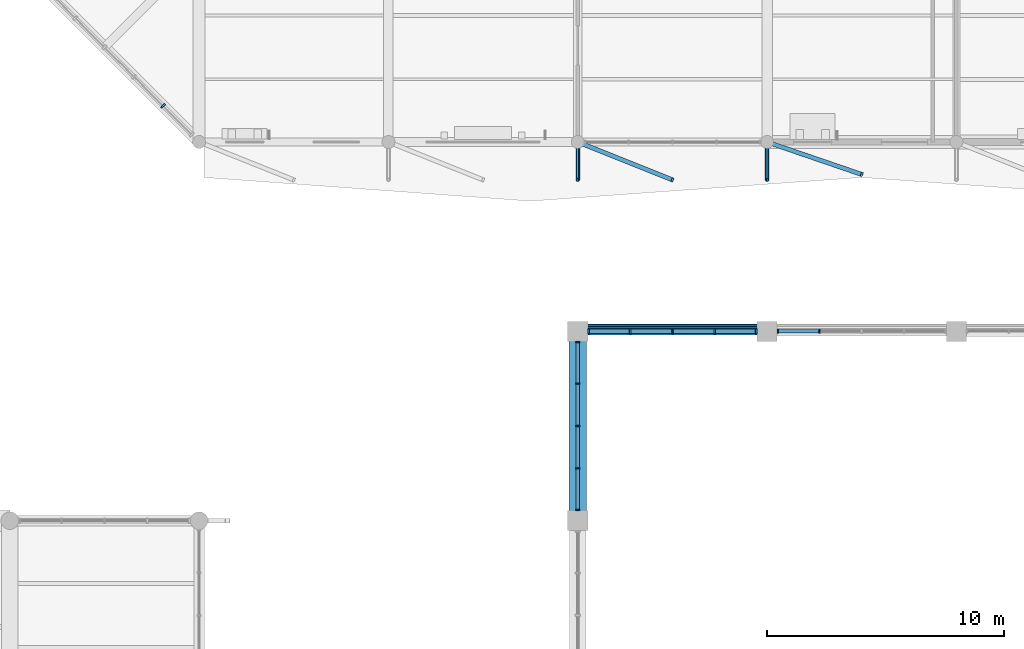
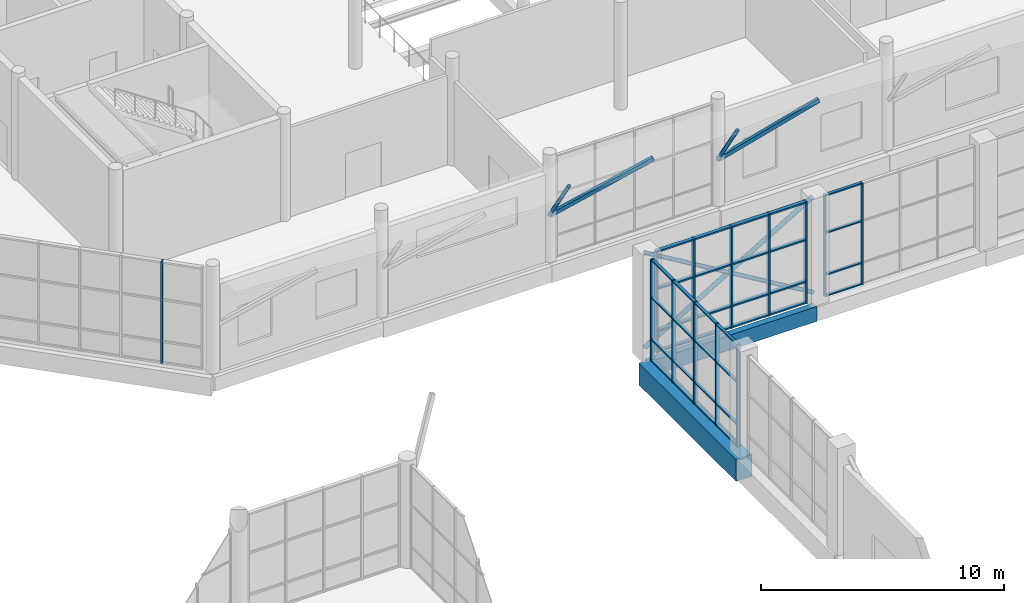
# One storey, part 43 of 122: 55 members, 2 beams, 4 elements without a shape of their own.
"""IFC4 building model written with IfcOpenShell, lengths in metres."""

from ifc_helpers import new_model, si_unit, direction, frame, origin, origin_2d, place, context, subcontext, project, spatial, rectangle, hollow_rectangle, hollow_circle, extrude, material, material_profile, profile_set, type_object, element, aggregate, save


model = new_model("IFC4")

# Units and contexts
model_context = context("Model", 3, precision=1e-05, world=origin(), true_north=direction((0.0, 1.0)))
body_context = subcontext(model_context, "Body", "Model", "MODEL_VIEW")
ifc_project = project(units=[si_unit("LENGTHUNIT", "METRE"), si_unit("AREAUNIT", "SQUARE_METRE"), si_unit("VOLUMEUNIT", "CUBIC_METRE"), si_unit("PLANEANGLEUNIT", "RADIAN"), si_unit("MASSUNIT", "GRAM", prefix="KILO")], contexts=[model_context])

# Site, building, storey
site_placement = place(None, origin())
site = spatial("IfcSite", under=ifc_project, at=site_placement, CompositionType="ELEMENT")
building_placement = place(site_placement, origin())
building = spatial("IfcBuilding", under=site, at=building_placement, Name="Tenunan Teduh Sports Hall", CompositionType="ELEMENT")
storey_placement = place(building_placement, frame((0.0, 0.0, 5.39990234375)))
storey = spatial("IfcBuildingStorey", under=building, at=storey_placement, Name="L01", CompositionType="ELEMENT", Elevation=5.39990234375)

# Beams
ifc_material_1 = material(Name="Concrete C40/50", Category="concrete")
ifc_material_profile_1 = material_profile(ifc_material_1, rectangle(XDim=0.75, YDim=1.10009765625, at=origin_2d()), Name="RCB 750x1100")
ifc_profile_set_1 = profile_set([ifc_material_profile_1], Name="Concrete C40/50")
beam_type_1 = type_object("IfcBeamType", Name="BM-RC-750x1100", PredefinedType="SPANDREL", material=ifc_profile_set_1)
beam_1_placement = place(storey_placement, frame((122.0, 70.0, -0.809814453125), z_axis=(0.0, 1.0, 0.0), x_axis=(-1.0, 0.0, 0.0)))
element("IfcBeam", 1, at=beam_1_placement, inside=storey, type_object=beam_type_1, Name="BM-B-20-L01-1272", PredefinedType="SPANDREL", context=body_context, shape_type="SweptSolid", body=[
    extrude(rectangle(XDim=0.75, YDim=1.10009765625, at=origin_2d()), origin(), (0.0, 0.0, 1.0), 8.0),
])
ifc_material_2 = material(Name="Concrete C40/50", Category="concrete")
ifc_material_profile_2 = material_profile(ifc_material_2, rectangle(XDim=0.300048828125, YDim=0.75, at=origin_2d()), Name="SPB 300x750")
ifc_profile_set_2 = profile_set([ifc_material_profile_2], Name="Concrete C40/50")
beam_type_2 = type_object("IfcBeamType", Name="BM-SP-300x750", PredefinedType="SPANDREL", material=ifc_profile_set_2)
beam_2_placement = place(storey_placement, frame((122.0, 78.0, -0.635009765625), z_axis=(1.0, 0.0, 0.0), x_axis=(0.0, 1.0, 0.0)))
element("IfcBeam", 2, at=beam_2_placement, inside=storey, type_object=beam_type_2, Name="BM-SP-01-L01-1101", PredefinedType="SPANDREL", context=body_context, shape_type="SweptSolid", body=[
    extrude(rectangle(XDim=0.300048828125, YDim=0.75, at=origin_2d()), origin(), (0.0, 0.0, 1.0), 8.0),
])

# Curtain wall, members
ifc_material_3 = material(Name="Anodised aluminium", Category="aluminium")
curtain_wall_type = type_object("IfcCurtainWallType", Name="CW-UNIT-1", PredefinedType="NOTDEFINED", material=ifc_material_3)
curtain_wall_1_placement = place(storey_placement, origin())
curtain_wall_1 = element("IfcCurtainWall", 3, at=curtain_wall_1_placement, inside=storey, type_object=curtain_wall_type, Name="CW-CWM-175-L01-118", PredefinedType="NOTDEFINED")
ifc_material_4 = material(Name="Anodised aluminium", Category="aluminium")
ifc_material_profile_3 = material_profile(ifc_material_4, rectangle(XDim=0.06494140625, YDim=0.175048828125, at=origin_2d()), Name="CWM 65x175")
ifc_profile_set_3 = profile_set([ifc_material_profile_3], Name="Anodised aluminium")
member_type_1 = type_object("IfcMemberType", Name="CWM-175", PredefinedType="MULLION", material=ifc_profile_set_3)
member_1_placement = place(storey_placement, frame((130.45751953125, 78.0, 0.0), z_axis=(0.0, 0.0, 1.0), x_axis=(1.0, 0.0, 0.0)))
member_1 = element("IfcMember", 4, at=member_1_placement, type_object=member_type_1, Name="CW-01 mullion 1", PredefinedType="MULLION", context=body_context, shape_type="SweptSolid", body=[
    extrude(rectangle(XDim=0.06494140625, YDim=0.175048828125, at=origin_2d()), origin(), (0.0, 0.0, 1.0), 5.1201171875),
])
member_2_placement = place(storey_placement, frame((132.21240234375, 78.0, 0.0), z_axis=(0.0, 0.0, 1.0), x_axis=(1.0, 0.0, 0.0)))
member_2 = element("IfcMember", 5, at=member_2_placement, type_object=member_type_1, Name="CW-01 mullion 2", PredefinedType="MULLION", context=body_context, shape_type="SweptSolid", body=[
    extrude(rectangle(XDim=0.06494140625, YDim=0.175048828125, at=origin_2d()), origin(), (0.0, 0.0, 1.0), 5.1201171875),
])

curtain_wall_2_placement = place(storey_placement, origin())
curtain_wall_2 = element("IfcCurtainWall", 6, at=curtain_wall_2_placement, inside=storey, type_object=curtain_wall_type, Name="CW-CWM-175-L01-126", PredefinedType="NOTDEFINED")
member_3_placement = place(storey_placement, frame((122.0, 70.45751953125, 0.0), z_axis=(0.0, 0.0, 1.0), x_axis=(0.0, 1.0, 0.0)))
member_3 = element("IfcMember", 7, at=member_3_placement, type_object=member_type_1, Name="CW-01 mullion 1", PredefinedType="MULLION", context=body_context, shape_type="SweptSolid", body=[
    extrude(rectangle(XDim=0.06494140625, YDim=0.175048828125, at=origin_2d()), origin(), (0.0, 0.0, 1.0), 5.1201171875),
])
member_4_placement = place(storey_placement, frame((122.0, 72.21240234375, 0.0), z_axis=(0.0, 0.0, 1.0), x_axis=(0.0, 1.0, 0.0)))
member_4 = element("IfcMember", 8, at=member_4_placement, type_object=member_type_1, Name="CW-01 mullion 2", PredefinedType="MULLION", context=body_context, shape_type="SweptSolid", body=[
    extrude(rectangle(XDim=0.06494140625, YDim=0.175048828125, at=origin_2d()), origin(), (0.0, 0.0, 1.0), 5.1201171875),
])
member_5_placement = place(storey_placement, frame((122.0, 74.0, 0.0), z_axis=(0.0, 0.0, 1.0), x_axis=(0.0, 1.0, 0.0)))
member_5 = element("IfcMember", 9, at=member_5_placement, type_object=member_type_1, Name="CW-01 mullion 3", PredefinedType="MULLION", context=body_context, shape_type="SweptSolid", body=[
    extrude(rectangle(XDim=0.06494140625, YDim=0.175048828125, at=origin_2d()), origin(), (0.0, 0.0, 1.0), 5.1201171875),
])
member_6_placement = place(storey_placement, frame((122.0, 75.78759765625, 0.0), z_axis=(0.0, 0.0, 1.0), x_axis=(0.0, 1.0, 0.0)))
member_6 = element("IfcMember", 10, at=member_6_placement, type_object=member_type_1, Name="CW-01 mullion 4", PredefinedType="MULLION", context=body_context, shape_type="SweptSolid", body=[
    extrude(rectangle(XDim=0.06494140625, YDim=0.175048828125, at=origin_2d()), origin(), (0.0, 0.0, 1.0), 5.1201171875),
])
member_7_placement = place(storey_placement, frame((122.0, 77.54248046875, 0.0), z_axis=(0.0, 0.0, 1.0), x_axis=(0.0, 1.0, 0.0)))
member_7 = element("IfcMember", 11, at=member_7_placement, type_object=member_type_1, Name="CW-01 mullion 5", PredefinedType="MULLION", context=body_context, shape_type="SweptSolid", body=[
    extrude(rectangle(XDim=0.06494140625, YDim=0.175048828125, at=origin_2d()), origin(), (0.0, 0.0, 1.0), 5.1201171875),
])

curtain_wall_3_placement = place(storey_placement, origin())
curtain_wall_3 = element("IfcCurtainWall", 12, at=curtain_wall_3_placement, inside=storey, type_object=curtain_wall_type, Name="CW-CWM-220-L01-117", PredefinedType="NOTDEFINED")
ifc_material_5 = material(Name="Anodised aluminium", Category="aluminium")
ifc_material_profile_4 = material_profile(ifc_material_5, rectangle(XDim=0.074951171875, YDim=0.219970703125, at=origin_2d()), Name="CWM 75x220")
ifc_profile_set_4 = profile_set([ifc_material_profile_4], Name="Anodised aluminium")
member_type_2 = type_object("IfcMemberType", Name="CWM-220", PredefinedType="MULLION", material=ifc_profile_set_4)
member_8_placement = place(storey_placement, frame((122.46240234375, 78.0, 0.0), z_axis=(0.0, 0.0, 1.0), x_axis=(1.0, 0.0, 0.0)))
member_8 = element("IfcMember", 13, at=member_8_placement, type_object=member_type_2, Name="CW-01 mullion 1", PredefinedType="MULLION", context=body_context, shape_type="SweptSolid", body=[
    extrude(rectangle(XDim=0.074951171875, YDim=0.219970703125, at=origin_2d()), origin(), (0.0, 0.0, 1.0), 5.1201171875),
])
member_9_placement = place(storey_placement, frame((124.21240234375, 78.0, 0.0), z_axis=(0.0, 0.0, 1.0), x_axis=(1.0, 0.0, 0.0)))
member_9 = element("IfcMember", 14, at=member_9_placement, type_object=member_type_2, Name="CW-01 mullion 2", PredefinedType="MULLION", context=body_context, shape_type="SweptSolid", body=[
    extrude(rectangle(XDim=0.074951171875, YDim=0.219970703125, at=origin_2d()), origin(), (0.0, 0.0, 1.0), 5.1201171875),
])
member_10_placement = place(storey_placement, frame((126.0, 78.0, 0.0), z_axis=(0.0, 0.0, 1.0), x_axis=(1.0, 0.0, 0.0)))
member_10 = element("IfcMember", 15, at=member_10_placement, type_object=member_type_2, Name="CW-01 mullion 3", PredefinedType="MULLION", context=body_context, shape_type="SweptSolid", body=[
    extrude(rectangle(XDim=0.074951171875, YDim=0.219970703125, at=origin_2d()), origin(), (0.0, 0.0, 1.0), 5.1201171875),
])
member_11_placement = place(storey_placement, frame((127.78759765625, 78.0, 0.0), z_axis=(0.0, 0.0, 1.0), x_axis=(1.0, 0.0, 0.0)))
member_11 = element("IfcMember", 16, at=member_11_placement, type_object=member_type_2, Name="CW-01 mullion 4", PredefinedType="MULLION", context=body_context, shape_type="SweptSolid", body=[
    extrude(rectangle(XDim=0.074951171875, YDim=0.219970703125, at=origin_2d()), origin(), (0.0, 0.0, 1.0), 5.1201171875),
])
member_12_placement = place(storey_placement, frame((129.53759765625, 78.0, 0.0), z_axis=(0.0, 0.0, 1.0), x_axis=(1.0, 0.0, 0.0)))
member_12 = element("IfcMember", 17, at=member_12_placement, type_object=member_type_2, Name="CW-01 mullion 5", PredefinedType="MULLION", context=body_context, shape_type="SweptSolid", body=[
    extrude(rectangle(XDim=0.074951171875, YDim=0.219970703125, at=origin_2d()), origin(), (0.0, 0.0, 1.0), 5.1201171875),
])

# Curtain wall, member
curtain_wall_4_placement = place(storey_placement, origin())
curtain_wall_4 = element("IfcCurtainWall", 18, at=curtain_wall_4_placement, inside=storey, type_object=curtain_wall_type, Name="CW-CWM-220-L01-253", PredefinedType="NOTDEFINED")
member_13_placement = place(storey_placement, frame((104.47412109375, 87.52587890625, 0.0), z_axis=(0.0, 0.0, 1.0), x_axis=(-0.707106781187, 0.707106781187, 0.0)))
member_13 = element("IfcMember", 19, at=member_13_placement, type_object=member_type_2, Name="CW-01 mullion 6", PredefinedType="MULLION", context=body_context, shape_type="SweptSolid", body=[
    extrude(rectangle(XDim=0.074951171875, YDim=0.219970703125, at=origin_2d()), origin(), (0.0, 0.0, 1.0), 5.1201171875),
])
aggregate(curtain_wall_4, [member_13])

# Member
ifc_material_6 = material(Name="Anodised aluminium", Category="aluminium")
ifc_material_profile_5 = material_profile(ifc_material_6, rectangle(XDim=0.06494140625, YDim=0.139892578125, at=origin_2d()), Name="CWT 65x140")
ifc_profile_set_5 = profile_set([ifc_material_profile_5], Name="Anodised aluminium")
member_type_3 = type_object("IfcMemberType", Name="CWT-150", PredefinedType="USERDEFINED", material=ifc_profile_set_5)
member_14_placement = place(storey_placement, frame((130.489990234375, 78.0, 0.03271484375), z_axis=(1.0, 0.0, 0.0), x_axis=(0.0, 0.0, 1.0)))
member_14 = element("IfcMember", 20, at=member_14_placement, type_object=member_type_3, Name="CW-01 transom 1.1", ObjectType="TRANSOM", PredefinedType="USERDEFINED", context=body_context, shape_type="SweptSolid", body=[
    extrude(rectangle(XDim=0.06494140625, YDim=0.139892578125, at=origin_2d()), origin(), (0.0, 0.0, 1.0), 1.68994140625),
])

member_15_placement = place(storey_placement, frame((130.489990234375, 78.0, 1.10009765625), z_axis=(1.0, 0.0, 0.0), x_axis=(0.0, 0.0, 1.0)))
member_15 = element("IfcMember", 21, at=member_15_placement, type_object=member_type_3, Name="CW-01 transom 1.2", ObjectType="TRANSOM", PredefinedType="USERDEFINED", context=body_context, shape_type="SweptSolid", body=[
    extrude(rectangle(XDim=0.06494140625, YDim=0.139892578125, at=origin_2d()), origin(), (0.0, 0.0, 1.0), 1.68994140625),
])

member_16_placement = place(storey_placement, frame((130.489990234375, 78.0, 3.2001953125), z_axis=(1.0, 0.0, 0.0), x_axis=(0.0, 0.0, 1.0)))
member_16 = element("IfcMember", 22, at=member_16_placement, type_object=member_type_3, Name="CW-01 transom 1.3", ObjectType="TRANSOM", PredefinedType="USERDEFINED", context=body_context, shape_type="SweptSolid", body=[
    extrude(rectangle(XDim=0.06494140625, YDim=0.139892578125, at=origin_2d()), origin(), (0.0, 0.0, 1.0), 1.68994140625),
])

member_17_placement = place(storey_placement, frame((130.489990234375, 78.0, 5.087646484375), z_axis=(1.0, 0.0, 0.0), x_axis=(0.0, 0.0, 1.0)))
member_17 = element("IfcMember", 23, at=member_17_placement, type_object=member_type_3, Name="CW-01 transom 1.4", ObjectType="TRANSOM", PredefinedType="USERDEFINED", context=body_context, shape_type="SweptSolid", body=[
    extrude(rectangle(XDim=0.06494140625, YDim=0.139892578125, at=origin_2d()), origin(), (0.0, 0.0, 1.0), 1.68994140625),
])

aggregate(curtain_wall_1, [member_1, member_2, member_14, member_15, member_16, member_17])

member_18_placement = place(storey_placement, frame((122.0, 70.489990234375, 0.03271484375), z_axis=(0.0, 1.0, 0.0), x_axis=(0.0, 0.0, 1.0)))
member_18 = element("IfcMember", 24, at=member_18_placement, type_object=member_type_3, Name="CW-01 transom 1.1", ObjectType="TRANSOM", PredefinedType="USERDEFINED", context=body_context, shape_type="SweptSolid", body=[
    extrude(rectangle(XDim=0.06494140625, YDim=0.139892578125, at=origin_2d()), origin(), (0.0, 0.0, 1.0), 1.68994140625),
])

member_19_placement = place(storey_placement, frame((122.0, 70.489990234375, 1.10009765625), z_axis=(0.0, 1.0, 0.0), x_axis=(0.0, 0.0, 1.0)))
member_19 = element("IfcMember", 25, at=member_19_placement, type_object=member_type_3, Name="CW-01 transom 1.2", ObjectType="TRANSOM", PredefinedType="USERDEFINED", context=body_context, shape_type="SweptSolid", body=[
    extrude(rectangle(XDim=0.06494140625, YDim=0.139892578125, at=origin_2d()), origin(), (0.0, 0.0, 1.0), 1.68994140625),
])

member_20_placement = place(storey_placement, frame((122.0, 70.489990234375, 3.2001953125), z_axis=(0.0, 1.0, 0.0), x_axis=(0.0, 0.0, 1.0)))
member_20 = element("IfcMember", 26, at=member_20_placement, type_object=member_type_3, Name="CW-01 transom 1.3", ObjectType="TRANSOM", PredefinedType="USERDEFINED", context=body_context, shape_type="SweptSolid", body=[
    extrude(rectangle(XDim=0.06494140625, YDim=0.139892578125, at=origin_2d()), origin(), (0.0, 0.0, 1.0), 1.68994140625),
])

member_21_placement = place(storey_placement, frame((122.0, 70.489990234375, 5.087646484375), z_axis=(0.0, 1.0, 0.0), x_axis=(0.0, 0.0, 1.0)))
member_21 = element("IfcMember", 27, at=member_21_placement, type_object=member_type_3, Name="CW-01 transom 1.4", ObjectType="TRANSOM", PredefinedType="USERDEFINED", context=body_context, shape_type="SweptSolid", body=[
    extrude(rectangle(XDim=0.06494140625, YDim=0.139892578125, at=origin_2d()), origin(), (0.0, 0.0, 1.0), 1.68994140625),
])

member_22_placement = place(storey_placement, frame((122.0, 72.2451171875, 0.03271484375), z_axis=(0.0, 1.0, 0.0), x_axis=(0.0, 0.0, 1.0)))
member_22 = element("IfcMember", 28, at=member_22_placement, type_object=member_type_3, Name="CW-01 transom 2.1", ObjectType="TRANSOM", PredefinedType="USERDEFINED", context=body_context, shape_type="SweptSolid", body=[
    extrude(rectangle(XDim=0.06494140625, YDim=0.139892578125, at=origin_2d()), origin(), (0.0, 0.0, 1.0), 1.722412109375),
])

member_23_placement = place(storey_placement, frame((122.0, 72.2451171875, 1.10009765625), z_axis=(0.0, 1.0, 0.0), x_axis=(0.0, 0.0, 1.0)))
member_23 = element("IfcMember", 29, at=member_23_placement, type_object=member_type_3, Name="CW-01 transom 2.2", ObjectType="TRANSOM", PredefinedType="USERDEFINED", context=body_context, shape_type="SweptSolid", body=[
    extrude(rectangle(XDim=0.06494140625, YDim=0.139892578125, at=origin_2d()), origin(), (0.0, 0.0, 1.0), 1.722412109375),
])

member_24_placement = place(storey_placement, frame((122.0, 72.2451171875, 3.2001953125), z_axis=(0.0, 1.0, 0.0), x_axis=(0.0, 0.0, 1.0)))
member_24 = element("IfcMember", 30, at=member_24_placement, type_object=member_type_3, Name="CW-01 transom 2.3", ObjectType="TRANSOM", PredefinedType="USERDEFINED", context=body_context, shape_type="SweptSolid", body=[
    extrude(rectangle(XDim=0.06494140625, YDim=0.139892578125, at=origin_2d()), origin(), (0.0, 0.0, 1.0), 1.722412109375),
])

member_25_placement = place(storey_placement, frame((122.0, 72.2451171875, 5.087646484375), z_axis=(0.0, 1.0, 0.0), x_axis=(0.0, 0.0, 1.0)))
member_25 = element("IfcMember", 31, at=member_25_placement, type_object=member_type_3, Name="CW-01 transom 2.4", ObjectType="TRANSOM", PredefinedType="USERDEFINED", context=body_context, shape_type="SweptSolid", body=[
    extrude(rectangle(XDim=0.06494140625, YDim=0.139892578125, at=origin_2d()), origin(), (0.0, 0.0, 1.0), 1.722412109375),
])

member_26_placement = place(storey_placement, frame((122.0, 74.032470703125, 0.03271484375), z_axis=(0.0, 1.0, 0.0), x_axis=(0.0, 0.0, 1.0)))
member_26 = element("IfcMember", 32, at=member_26_placement, type_object=member_type_3, Name="CW-01 transom 3.1", ObjectType="TRANSOM", PredefinedType="USERDEFINED", context=body_context, shape_type="SweptSolid", body=[
    extrude(rectangle(XDim=0.06494140625, YDim=0.139892578125, at=origin_2d()), origin(), (0.0, 0.0, 1.0), 1.722412109375),
])

member_27_placement = place(storey_placement, frame((122.0, 74.032470703125, 1.10009765625), z_axis=(0.0, 1.0, 0.0), x_axis=(0.0, 0.0, 1.0)))
member_27 = element("IfcMember", 33, at=member_27_placement, type_object=member_type_3, Name="CW-01 transom 3.2", ObjectType="TRANSOM", PredefinedType="USERDEFINED", context=body_context, shape_type="SweptSolid", body=[
    extrude(rectangle(XDim=0.06494140625, YDim=0.139892578125, at=origin_2d()), origin(), (0.0, 0.0, 1.0), 1.722412109375),
])

member_28_placement = place(storey_placement, frame((122.0, 74.032470703125, 3.2001953125), z_axis=(0.0, 1.0, 0.0), x_axis=(0.0, 0.0, 1.0)))
member_28 = element("IfcMember", 34, at=member_28_placement, type_object=member_type_3, Name="CW-01 transom 3.3", ObjectType="TRANSOM", PredefinedType="USERDEFINED", context=body_context, shape_type="SweptSolid", body=[
    extrude(rectangle(XDim=0.06494140625, YDim=0.139892578125, at=origin_2d()), origin(), (0.0, 0.0, 1.0), 1.722412109375),
])

member_29_placement = place(storey_placement, frame((122.0, 74.032470703125, 5.087646484375), z_axis=(0.0, 1.0, 0.0), x_axis=(0.0, 0.0, 1.0)))
member_29 = element("IfcMember", 35, at=member_29_placement, type_object=member_type_3, Name="CW-01 transom 3.4", ObjectType="TRANSOM", PredefinedType="USERDEFINED", context=body_context, shape_type="SweptSolid", body=[
    extrude(rectangle(XDim=0.06494140625, YDim=0.139892578125, at=origin_2d()), origin(), (0.0, 0.0, 1.0), 1.722412109375),
])

member_30_placement = place(storey_placement, frame((122.0, 75.820068359375, 0.03271484375), z_axis=(0.0, 1.0, 0.0), x_axis=(0.0, 0.0, 1.0)))
member_30 = element("IfcMember", 36, at=member_30_placement, type_object=member_type_3, Name="CW-01 transom 4.1", ObjectType="TRANSOM", PredefinedType="USERDEFINED", context=body_context, shape_type="SweptSolid", body=[
    extrude(rectangle(XDim=0.06494140625, YDim=0.139892578125, at=origin_2d()), origin(), (0.0, 0.0, 1.0), 1.68994140625),
])

member_31_placement = place(storey_placement, frame((122.0, 75.820068359375, 1.10009765625), z_axis=(0.0, 1.0, 0.0), x_axis=(0.0, 0.0, 1.0)))
member_31 = element("IfcMember", 37, at=member_31_placement, type_object=member_type_3, Name="CW-01 transom 4.2", ObjectType="TRANSOM", PredefinedType="USERDEFINED", context=body_context, shape_type="SweptSolid", body=[
    extrude(rectangle(XDim=0.06494140625, YDim=0.139892578125, at=origin_2d()), origin(), (0.0, 0.0, 1.0), 1.68994140625),
])

member_32_placement = place(storey_placement, frame((122.0, 75.820068359375, 3.2001953125), z_axis=(0.0, 1.0, 0.0), x_axis=(0.0, 0.0, 1.0)))
member_32 = element("IfcMember", 38, at=member_32_placement, type_object=member_type_3, Name="CW-01 transom 4.3", ObjectType="TRANSOM", PredefinedType="USERDEFINED", context=body_context, shape_type="SweptSolid", body=[
    extrude(rectangle(XDim=0.06494140625, YDim=0.139892578125, at=origin_2d()), origin(), (0.0, 0.0, 1.0), 1.68994140625),
])

member_33_placement = place(storey_placement, frame((122.0, 75.820068359375, 5.087646484375), z_axis=(0.0, 1.0, 0.0), x_axis=(0.0, 0.0, 1.0)))
member_33 = element("IfcMember", 39, at=member_33_placement, type_object=member_type_3, Name="CW-01 transom 4.4", ObjectType="TRANSOM", PredefinedType="USERDEFINED", context=body_context, shape_type="SweptSolid", body=[
    extrude(rectangle(XDim=0.06494140625, YDim=0.139892578125, at=origin_2d()), origin(), (0.0, 0.0, 1.0), 1.68994140625),
])

aggregate(curtain_wall_2, [member_3, member_4, member_5, member_6, member_7, member_18, member_19, member_20, member_21, member_22, member_23, member_24, member_25, member_26, member_27, member_28, member_29, member_30, member_31, member_32, member_33])

ifc_material_7 = material(Name="Anodised aluminium", Category="aluminium")
ifc_material_profile_6 = material_profile(ifc_material_7, rectangle(XDim=0.074951171875, YDim=0.179931640625, at=origin_2d()), Name="CWT 75x180")
ifc_profile_set_6 = profile_set([ifc_material_profile_6], Name="Anodised aluminium")
member_type_4 = type_object("IfcMemberType", Name="CWT-180", PredefinedType="USERDEFINED", material=ifc_profile_set_6)
member_34_placement = place(storey_placement, frame((122.5, 78.0, 0.03759765625), z_axis=(1.0, 0.0, 0.0), x_axis=(0.0, 0.0, 1.0)))
member_34 = element("IfcMember", 40, at=member_34_placement, type_object=member_type_4, Name="CW-01 transom 1.1", ObjectType="TRANSOM", PredefinedType="USERDEFINED", context=body_context, shape_type="SweptSolid", body=[
    extrude(rectangle(XDim=0.074951171875, YDim=0.179931640625, at=origin_2d()), origin(), (0.0, 0.0, 1.0), 1.675048828125),
])

member_35_placement = place(storey_placement, frame((122.5, 78.0, 1.10009765625), z_axis=(1.0, 0.0, 0.0), x_axis=(0.0, 0.0, 1.0)))
member_35 = element("IfcMember", 41, at=member_35_placement, type_object=member_type_4, Name="CW-01 transom 1.2", ObjectType="TRANSOM", PredefinedType="USERDEFINED", context=body_context, shape_type="SweptSolid", body=[
    extrude(rectangle(XDim=0.074951171875, YDim=0.179931640625, at=origin_2d()), origin(), (0.0, 0.0, 1.0), 1.675048828125),
])

member_36_placement = place(storey_placement, frame((122.5, 78.0, 3.2001953125), z_axis=(1.0, 0.0, 0.0), x_axis=(0.0, 0.0, 1.0)))
member_36 = element("IfcMember", 42, at=member_36_placement, type_object=member_type_4, Name="CW-01 transom 1.3", ObjectType="TRANSOM", PredefinedType="USERDEFINED", context=body_context, shape_type="SweptSolid", body=[
    extrude(rectangle(XDim=0.074951171875, YDim=0.179931640625, at=origin_2d()), origin(), (0.0, 0.0, 1.0), 1.675048828125),
])

member_37_placement = place(storey_placement, frame((122.5, 78.0, 5.08251953125), z_axis=(1.0, 0.0, 0.0), x_axis=(0.0, 0.0, 1.0)))
member_37 = element("IfcMember", 43, at=member_37_placement, type_object=member_type_4, Name="CW-01 transom 1.4", ObjectType="TRANSOM", PredefinedType="USERDEFINED", context=body_context, shape_type="SweptSolid", body=[
    extrude(rectangle(XDim=0.074951171875, YDim=0.179931640625, at=origin_2d()), origin(), (0.0, 0.0, 1.0), 1.675048828125),
])

member_38_placement = place(storey_placement, frame((124.25, 78.0, 0.03759765625), z_axis=(1.0, 0.0, 0.0), x_axis=(0.0, 0.0, 1.0)))
member_38 = element("IfcMember", 44, at=member_38_placement, type_object=member_type_4, Name="CW-01 transom 2.1", ObjectType="TRANSOM", PredefinedType="USERDEFINED", context=body_context, shape_type="SweptSolid", body=[
    extrude(rectangle(XDim=0.074951171875, YDim=0.179931640625, at=origin_2d()), origin(), (0.0, 0.0, 1.0), 1.71240234375),
])

member_39_placement = place(storey_placement, frame((124.25, 78.0, 1.10009765625), z_axis=(1.0, 0.0, 0.0), x_axis=(0.0, 0.0, 1.0)))
member_39 = element("IfcMember", 45, at=member_39_placement, type_object=member_type_4, Name="CW-01 transom 2.2", ObjectType="TRANSOM", PredefinedType="USERDEFINED", context=body_context, shape_type="SweptSolid", body=[
    extrude(rectangle(XDim=0.074951171875, YDim=0.179931640625, at=origin_2d()), origin(), (0.0, 0.0, 1.0), 1.71240234375),
])

member_40_placement = place(storey_placement, frame((124.25, 78.0, 3.2001953125), z_axis=(1.0, 0.0, 0.0), x_axis=(0.0, 0.0, 1.0)))
member_40 = element("IfcMember", 46, at=member_40_placement, type_object=member_type_4, Name="CW-01 transom 2.3", ObjectType="TRANSOM", PredefinedType="USERDEFINED", context=body_context, shape_type="SweptSolid", body=[
    extrude(rectangle(XDim=0.074951171875, YDim=0.179931640625, at=origin_2d()), origin(), (0.0, 0.0, 1.0), 1.71240234375),
])

member_41_placement = place(storey_placement, frame((124.25, 78.0, 5.08251953125), z_axis=(1.0, 0.0, 0.0), x_axis=(0.0, 0.0, 1.0)))
member_41 = element("IfcMember", 47, at=member_41_placement, type_object=member_type_4, Name="CW-01 transom 2.4", ObjectType="TRANSOM", PredefinedType="USERDEFINED", context=body_context, shape_type="SweptSolid", body=[
    extrude(rectangle(XDim=0.074951171875, YDim=0.179931640625, at=origin_2d()), origin(), (0.0, 0.0, 1.0), 1.71240234375),
])

member_42_placement = place(storey_placement, frame((126.03759765625, 78.0, 0.03759765625), z_axis=(1.0, 0.0, 0.0), x_axis=(0.0, 0.0, 1.0)))
member_42 = element("IfcMember", 48, at=member_42_placement, type_object=member_type_4, Name="CW-01 transom 3.1", ObjectType="TRANSOM", PredefinedType="USERDEFINED", context=body_context, shape_type="SweptSolid", body=[
    extrude(rectangle(XDim=0.074951171875, YDim=0.179931640625, at=origin_2d()), origin(), (0.0, 0.0, 1.0), 1.71240234375),
])

member_43_placement = place(storey_placement, frame((126.03759765625, 78.0, 1.10009765625), z_axis=(1.0, 0.0, 0.0), x_axis=(0.0, 0.0, 1.0)))
member_43 = element("IfcMember", 49, at=member_43_placement, type_object=member_type_4, Name="CW-01 transom 3.2", ObjectType="TRANSOM", PredefinedType="USERDEFINED", context=body_context, shape_type="SweptSolid", body=[
    extrude(rectangle(XDim=0.074951171875, YDim=0.179931640625, at=origin_2d()), origin(), (0.0, 0.0, 1.0), 1.71240234375),
])

member_44_placement = place(storey_placement, frame((126.03759765625, 78.0, 3.2001953125), z_axis=(1.0, 0.0, 0.0), x_axis=(0.0, 0.0, 1.0)))
member_44 = element("IfcMember", 50, at=member_44_placement, type_object=member_type_4, Name="CW-01 transom 3.3", ObjectType="TRANSOM", PredefinedType="USERDEFINED", context=body_context, shape_type="SweptSolid", body=[
    extrude(rectangle(XDim=0.074951171875, YDim=0.179931640625, at=origin_2d()), origin(), (0.0, 0.0, 1.0), 1.71240234375),
])

member_45_placement = place(storey_placement, frame((126.03759765625, 78.0, 5.08251953125), z_axis=(1.0, 0.0, 0.0), x_axis=(0.0, 0.0, 1.0)))
member_45 = element("IfcMember", 51, at=member_45_placement, type_object=member_type_4, Name="CW-01 transom 3.4", ObjectType="TRANSOM", PredefinedType="USERDEFINED", context=body_context, shape_type="SweptSolid", body=[
    extrude(rectangle(XDim=0.074951171875, YDim=0.179931640625, at=origin_2d()), origin(), (0.0, 0.0, 1.0), 1.71240234375),
])

member_46_placement = place(storey_placement, frame((127.824951171875, 78.0, 0.03759765625), z_axis=(1.0, 0.0, 0.0), x_axis=(0.0, 0.0, 1.0)))
member_46 = element("IfcMember", 52, at=member_46_placement, type_object=member_type_4, Name="CW-01 transom 4.1", ObjectType="TRANSOM", PredefinedType="USERDEFINED", context=body_context, shape_type="SweptSolid", body=[
    extrude(rectangle(XDim=0.074951171875, YDim=0.179931640625, at=origin_2d()), origin(), (0.0, 0.0, 1.0), 1.675048828125),
])

member_47_placement = place(storey_placement, frame((127.824951171875, 78.0, 1.10009765625), z_axis=(1.0, 0.0, 0.0), x_axis=(0.0, 0.0, 1.0)))
member_47 = element("IfcMember", 53, at=member_47_placement, type_object=member_type_4, Name="CW-01 transom 4.2", ObjectType="TRANSOM", PredefinedType="USERDEFINED", context=body_context, shape_type="SweptSolid", body=[
    extrude(rectangle(XDim=0.074951171875, YDim=0.179931640625, at=origin_2d()), origin(), (0.0, 0.0, 1.0), 1.675048828125),
])

member_48_placement = place(storey_placement, frame((127.824951171875, 78.0, 3.2001953125), z_axis=(1.0, 0.0, 0.0), x_axis=(0.0, 0.0, 1.0)))
member_48 = element("IfcMember", 54, at=member_48_placement, type_object=member_type_4, Name="CW-01 transom 4.3", ObjectType="TRANSOM", PredefinedType="USERDEFINED", context=body_context, shape_type="SweptSolid", body=[
    extrude(rectangle(XDim=0.074951171875, YDim=0.179931640625, at=origin_2d()), origin(), (0.0, 0.0, 1.0), 1.675048828125),
])

member_49_placement = place(storey_placement, frame((127.824951171875, 78.0, 5.08251953125), z_axis=(1.0, 0.0, 0.0), x_axis=(0.0, 0.0, 1.0)))
member_49 = element("IfcMember", 55, at=member_49_placement, type_object=member_type_4, Name="CW-01 transom 4.4", ObjectType="TRANSOM", PredefinedType="USERDEFINED", context=body_context, shape_type="SweptSolid", body=[
    extrude(rectangle(XDim=0.074951171875, YDim=0.179931640625, at=origin_2d()), origin(), (0.0, 0.0, 1.0), 1.675048828125),
])

aggregate(curtain_wall_3, [member_8, member_9, member_10, member_11, member_12, member_34, member_35, member_36, member_37, member_38, member_39, member_40, member_41, member_42, member_43, member_44, member_45, member_46, member_47, member_48, member_49])

# Members
ifc_material_8 = material(Name="Steel S355", Category="steel")
ifc_material_profile_7 = material_profile(ifc_material_8, hollow_circle(Radius=0.084228515625, WallThickness=0.008056640625, at=origin_2d()), Name="CHS 168.3x8.0")
ifc_profile_set_7 = profile_set([ifc_material_profile_7], Name="Steel S355")
member_type_5 = type_object("IfcMemberType", Name="MEM-BR-CHS168", PredefinedType="BRACE", material=ifc_profile_set_7)
for number, where, z_axis, x_axis, name in (
    (56, (122.0, 86.0, 2.2001953125), (0.0, -0.551550138516, 0.834141741374), (1.0, 0.0, 0.0), "MEM-GD-04-L01-1219"),
    (57, (130.0, 86.0, 2.2001953125), (0.0, -0.551550138516, 0.834141741374), (1.0, 0.0, 0.0), "MEM-GD-04-L01-1223"),
):
    element("IfcMember", number, at=place(storey_placement, frame(where, z_axis=z_axis, x_axis=x_axis)), inside=storey, type_object=member_type_5, Name=name, PredefinedType="BRACE", context=body_context, shape_type="SweptSolid", body=[
        extrude(hollow_circle(Radius=0.084228515625, WallThickness=0.008056640625, at=origin_2d()), origin(), (0.0, 0.0, 1.0), 2.901123046875),
    ])
ifc_material_9 = material(Name="Steel S355", Category="steel")
ifc_material_profile_8 = material_profile(ifc_material_9, hollow_circle(Radius=0.096923828125, WallThickness=0.008056640625, at=origin_2d()), Name="CHS 193.7x8.0")
ifc_profile_set_8 = profile_set([ifc_material_profile_8], Name="Steel S355")
member_type_6 = type_object("IfcMemberType", Name="MEM-BR-CHS194", PredefinedType="BRACE", material=ifc_profile_set_8)
member_50_placement = place(storey_placement, frame((130.0, 78.18994140625, 0.25), z_axis=(-0.857490616715, 0.0, 0.514499603737), x_axis=(0.0, -1.0, 0.0)))
element("IfcMember", 58, at=member_50_placement, inside=storey, type_object=member_type_6, Name="MEM-GD-03-L01-1061", PredefinedType="BRACE", context=body_context, shape_type="SweptSolid", body=[
    extrude(hollow_circle(Radius=0.096923828125, WallThickness=0.008056640625, at=origin_2d()), origin(), (0.0, 0.0, 1.0), 9.32958984375),
])
ifc_material_10 = material(Name="Steel S355", Category="steel")
ifc_material_profile_9 = material_profile(ifc_material_10, hollow_circle(Radius=0.109619140625, WallThickness=0.010009765625, at=origin_2d()), Name="CHS 219.1x10.0")
ifc_profile_set_9 = profile_set([ifc_material_profile_9], Name="Steel S355")
member_type_7 = type_object("IfcMemberType", Name="MEM-BR-CHS219", PredefinedType="BRACE", material=ifc_profile_set_9)
member_51_placement = place(storey_placement, frame((122.0, 78.199951171875, 0.25), z_axis=(0.857490616715, 0.0, 0.514499603737), x_axis=(0.0, 1.0, 0.0)))
element("IfcMember", 59, at=member_51_placement, inside=storey, type_object=member_type_7, Name="MEM-GD-02-L01-1060", PredefinedType="BRACE", context=body_context, shape_type="SweptSolid", body=[
    extrude(hollow_circle(Radius=0.109619140625, WallThickness=0.010009765625, at=origin_2d()), origin(), (0.0, 0.0, 1.0), 9.32958984375),
])
ifc_material_11 = material(Name="Steel S355", Category="steel")
ifc_material_profile_10 = material_profile(ifc_material_11, hollow_rectangle(XDim=0.179931640625, YDim=0.179931640625, WallThickness=0.010009765625, at=origin_2d()), Name="SHS 180x180x10.0")
ifc_profile_set_10 = profile_set([ifc_material_profile_10], Name="Steel S355")
member_type_8 = type_object("IfcMemberType", Name="MEM-ST-SHS180", PredefinedType="STRUT", material=ifc_profile_set_10)
member_52_placement = place(storey_placement, frame((122.0, 86.0, 2.2001953125), z_axis=(0.809505416952, -0.323821930097, 0.489734966603), x_axis=(0.37141021739, 0.928468874232, 0.0)))
element("IfcMember", 60, at=member_52_placement, inside=storey, type_object=member_type_8, Name="MEM-VS-03-L01-1222", PredefinedType="STRUT", context=body_context, shape_type="SweptSolid", body=[
    extrude(hollow_rectangle(XDim=0.179931640625, YDim=0.179931640625, WallThickness=0.010009765625, at=origin_2d()), origin(), (0.0, 0.0, 1.0), 4.94140625),
])
member_53_placement = place(storey_placement, frame((130.0, 86.0, 2.2001953125), z_axis=(0.821060816878, -0.281287497872, 0.496725757867), x_axis=(0.324098455796, 0.946023356451, 0.0)))
element("IfcMember", 61, at=member_53_placement, inside=storey, type_object=member_type_8, Name="MEM-VS-03-L01-1226", PredefinedType="STRUT", context=body_context, shape_type="SweptSolid", body=[
    extrude(hollow_rectangle(XDim=0.179931640625, YDim=0.179931640625, WallThickness=0.010009765625, at=origin_2d()), origin(), (0.0, 0.0, 1.0), 4.871826171875),
])

save(model, "model.ifc")
